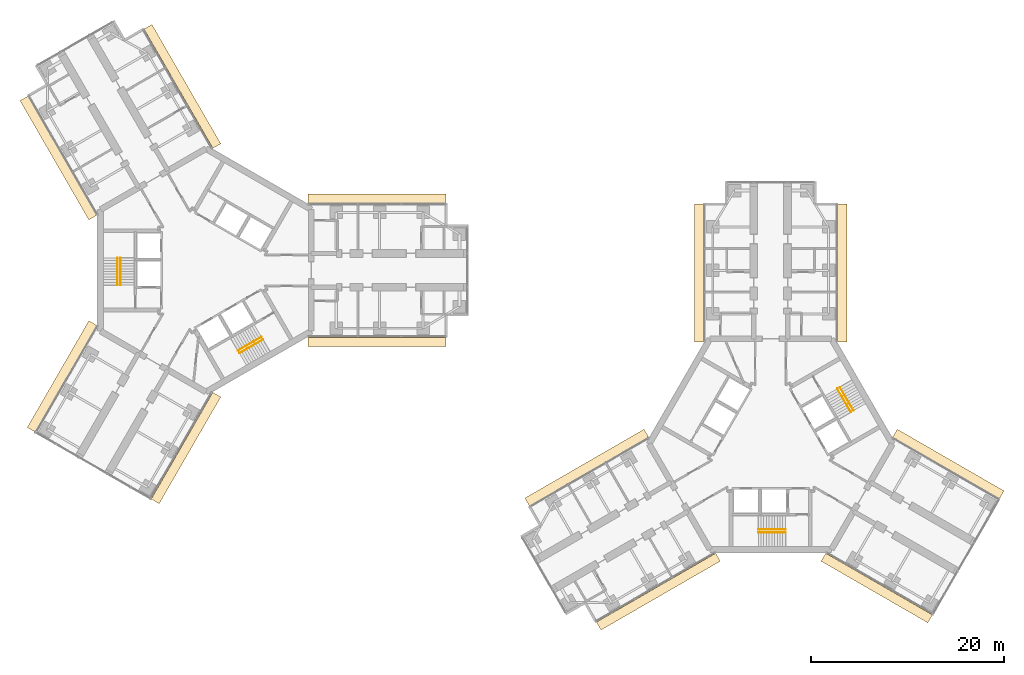
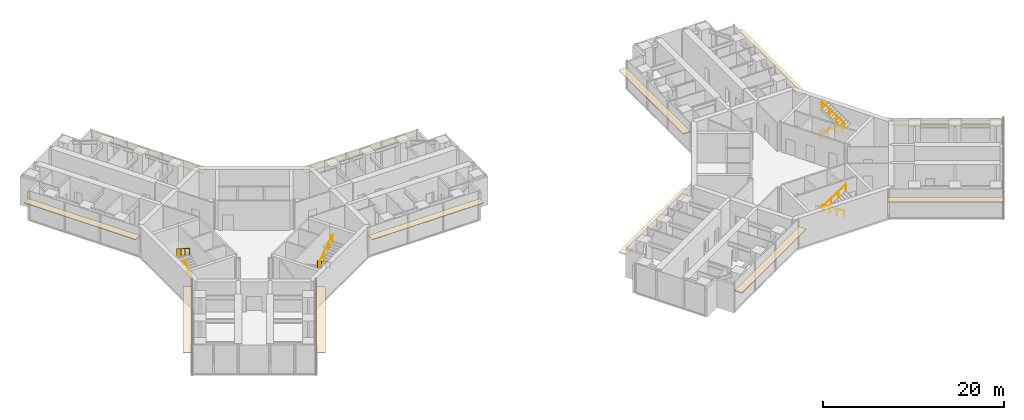
# One storey, part 22 of 22: 12 coverings, 8 railings.
"""IFC4 building model written with IfcOpenShell, lengths in metres."""

from ifc_helpers import new_model, si_unit, direction, frame, origin, origin_2d, place, context, subcontext, project, spatial, rectangle, circle, extrude, material, layer, layer_set, type_object, element, save


model = new_model("IFC4")

# Units and contexts
model_context = context("Model", 3, precision=1e-05, world=origin(), true_north=direction((0.0, 1.0)))
body_context = subcontext(model_context, "Body", "Model", "MODEL_VIEW")
ifc_project = project(units=[si_unit("LENGTHUNIT", "METRE"), si_unit("AREAUNIT", "SQUARE_METRE"), si_unit("VOLUMEUNIT", "CUBIC_METRE"), si_unit("PLANEANGLEUNIT", "RADIAN"), si_unit("MASSUNIT", "GRAM", prefix="KILO")], contexts=[model_context])

# Site, building, storey
site_placement = place(None, origin())
site = spatial("IfcSite", under=ifc_project, at=site_placement, CompositionType="ELEMENT")
building_placement = place(site_placement, origin())
building = spatial("IfcBuilding", under=site, at=building_placement, Name="Upepo Twin Towers", CompositionType="ELEMENT")
storey_placement = place(building_placement, frame((0.0, 0.0, 129.5)))
storey = spatial("IfcBuildingStorey", under=building, at=storey_placement, Name="L31", CompositionType="ELEMENT", Elevation=129.5)

# Coverings
ifc_material_1 = material(Name="Anodised aluminium, pale silver", Category="aluminium")
ifc_layer = layer(ifc_material_1, 0.080078125)
ifc_layer_set = layer_set([ifc_layer], Name="Brise-soleil blade 950 pale aluminium")
covering_type = type_object("IfcCoveringType", Name="Brise-soleil blade 950 pale aluminium", PredefinedType="USERDEFINED", material=ifc_layer_set)
for number, where, z_axis, x_axis, name in (
    (1, (17.718505859375, 7.4150390625, 2.909912109375), (0.0, 0.0, 1.0), (1.0, 0.0, 0.0), "T1 L31 wing A brise-soleil L"),
    (2, (17.718505859375, -7.4150390625, 2.909912109375), (0.0, 0.0, 1.0), (1.0, 0.0, 0.0), "T1 L31 wing A brise-soleil R"),
    (3, (-15.28076171875, 11.63720703125, 2.909912109375), (0.0, 0.0, 1.0), (-0.499999954655, 0.866025429964, 0.0), "T1 L31 wing B brise-soleil L"),
    (4, (-2.437744140625, 19.05224609375, 2.909912109375), (0.0, 0.0, 1.0), (-0.500000015115, 0.866025395058, 0.0), "T1 L31 wing B brise-soleil R"),
):
    element("IfcCovering", number, at=place(storey_placement, frame(where, z_axis=z_axis, x_axis=x_axis)), inside=storey, type_object=covering_type, Name=name, ObjectType="SUNSHADE", PredefinedType="USERDEFINED", context=body_context, shape_type="SweptSolid", body=[
        extrude(rectangle(XDim=14.262939453125, YDim=0.949951171875, at=origin_2d()), origin(), (0.0, 0.0, 1.0), 0.080078125),
    ])
for number, where, z_axis, x_axis, name in (
    (5, (-2.062744140625, -18.402587890625, 2.909912109375), (0.0, 0.0, 1.0), (-0.500000015115, -0.866025395058, 0.0), "T1 L31 wing C brise-soleil L"),
    (6, (-14.90576171875, -10.98779296875, 2.909912109375), (0.0, 0.0, 1.0), (-0.499999954655, -0.866025429964, 0.0), "T1 L31 wing C brise-soleil R"),
):
    element("IfcCovering", number, at=place(storey_placement, frame(where, z_axis=z_axis, x_axis=x_axis)), inside=storey, type_object=covering_type, Name=name, ObjectType="SUNSHADE", PredefinedType="USERDEFINED", context=body_context, shape_type="SweptSolid", body=[
        extrude(rectangle(XDim=12.762939453125, YDim=0.949951171875, at=origin_2d()), origin(), (0.0, 0.0, 1.0), 0.080078125),
    ])
for number, where, z_axis, x_axis, name in (
    (7, (51.0849609375, -0.281494140625, 2.909912109375), (0.0, 0.0, 1.0), (0.0, 1.0, 0.0), "T2 L31 wing A brise-soleil L"),
    (8, (65.9150390625, -0.281494140625, 2.909912109375), (0.0, 0.0, 1.0), (0.0, 1.0, 0.0), "T2 L31 wing A brise-soleil R"),
    (9, (46.86279296875, -33.28076171875, 2.909912109375), (0.0, 0.0, 1.0), (-0.866025429964, -0.499999954655, 0.0), "T2 L31 wing B brise-soleil L"),
    (10, (39.44775390625, -20.437744140625, 2.909912109375), (0.0, 0.0, 1.0), (-0.866025395058, -0.500000015115, 0.0), "T2 L31 wing B brise-soleil R"),
):
    element("IfcCovering", number, at=place(storey_placement, frame(where, z_axis=z_axis, x_axis=x_axis)), inside=storey, type_object=covering_type, Name=name, ObjectType="SUNSHADE", PredefinedType="USERDEFINED", context=body_context, shape_type="SweptSolid", body=[
        extrude(rectangle(XDim=14.262939453125, YDim=0.949951171875, at=origin_2d()), origin(), (0.0, 0.0, 1.0), 0.080078125),
    ])
for number, where, z_axis, x_axis, name in (
    (11, (76.902587890625, -20.062744140625, 2.909912109375), (0.0, 0.0, 1.0), (0.866025395058, -0.500000015115, 0.0), "T2 L31 wing C brise-soleil L"),
    (12, (69.48779296875, -32.90576171875, 2.909912109375), (0.0, 0.0, 1.0), (0.866025429964, -0.499999954655, 0.0), "T2 L31 wing C brise-soleil R"),
):
    element("IfcCovering", number, at=place(storey_placement, frame(where, z_axis=z_axis, x_axis=x_axis)), inside=storey, type_object=covering_type, Name=name, ObjectType="SUNSHADE", PredefinedType="USERDEFINED", context=body_context, shape_type="SweptSolid", body=[
        extrude(rectangle(XDim=12.762939453125, YDim=0.949951171875, at=origin_2d()), origin(), (0.0, 0.0, 1.0), 0.080078125),
    ])

# Railings
ifc_material_2 = material(Name="Stainless steel", Category="steel")
railing_type = type_object("IfcRailingType", Name="Stair handrail 900", PredefinedType="HANDRAIL", material=ifc_material_2)
railing_1_placement = place(storey_placement, frame((-8.85009765625, -1.52001953125, 0.181884765625)))
element("IfcRailing", 13, at=railing_1_placement, inside=storey, type_object=railing_type, Name="T1 stair S1 L31 handrail 1", PredefinedType="HANDRAIL", context=body_context, shape_type="SweptSolid", body=[
    extrude(circle(Radius=0.02392578125, at=origin_2d()), frame((0.0, 0.0, 0.8759765625), z_axis=(0.0, 0.838705829183, 0.544584733623), x_axis=(-1.0, 0.0, 0.0)), (0.0, 0.0, 1.0), 3.338623046875),
    extrude(circle(Radius=0.02099609375, at=origin_2d()), origin(), (0.0, 0.0, 1.0), 0.851806640625),
    extrude(circle(Radius=0.02099609375, at=origin_2d()), frame((0.0, 0.933349609375, 0.60595703125)), (0.0, 0.0, 1.0), 0.851806640625),
    extrude(circle(Radius=0.02099609375, at=origin_2d()), frame((0.0, 1.86669921875, 1.212158203125)), (0.0, 0.0, 1.0), 0.851806640625),
    extrude(circle(Radius=0.02099609375, at=origin_2d()), frame((0.0, 2.800048828125, 1.818115234375)), (0.0, 0.0, 1.0), 0.851806640625),
])
railing_2_placement = place(storey_placement, frame((-9.158447265625, 1.280029296875, 2.181884765625)))
element("IfcRailing", 14, at=railing_2_placement, inside=storey, type_object=railing_type, Name="T1 stair S1 L31 handrail 2", PredefinedType="HANDRAIL", context=body_context, shape_type="SweptSolid", body=[
    extrude(circle(Radius=0.02392578125, at=origin_2d()), frame((0.0, 0.0, 0.8759765625), z_axis=(0.0, -0.838705829183, 0.544584733623), x_axis=(1.0, 0.0, 0.0)), (0.0, 0.0, 1.0), 3.338623046875),
    extrude(circle(Radius=0.02099609375, at=origin_2d()), origin(), (0.0, 0.0, 1.0), 0.851806640625),
    extrude(circle(Radius=0.02099609375, at=origin_2d()), frame((0.0, -0.933349609375, 0.60595703125)), (0.0, 0.0, 1.0), 0.851806640625),
    extrude(circle(Radius=0.02099609375, at=origin_2d()), frame((0.0, -1.86669921875, 1.212158203125)), (0.0, 0.0, 1.0), 0.851806640625),
    extrude(circle(Radius=0.02099609375, at=origin_2d()), frame((0.0, -2.800048828125, 1.818115234375)), (0.0, 0.0, 1.0), 0.851806640625),
])
railing_3_placement = place(storey_placement, frame((5.741455078125, -6.904296875, 0.181884765625)))
element("IfcRailing", 15, at=railing_3_placement, inside=storey, type_object=railing_type, Name="T1 stair S2 L31 handrail 1", PredefinedType="HANDRAIL", context=body_context, shape_type="SweptSolid", body=[
    extrude(circle(Radius=0.02392578125, at=origin_2d()), frame((0.0, 0.0, 0.8759765625), z_axis=(-0.726348578268, -0.419370693282, 0.544560340518), x_axis=(0.500011755427, -0.866018616679, 0.0)), (0.0, 0.0, 1.0), 3.338623046875),
    extrude(circle(Radius=0.02099609375, at=origin_2d()), origin(), (0.0, 0.0, 1.0), 0.851806640625),
    extrude(circle(Radius=0.02099609375, at=origin_2d()), frame((-0.808349609375, -0.466796875, 0.60595703125)), (0.0, 0.0, 1.0), 0.851806640625),
    extrude(circle(Radius=0.02099609375, at=origin_2d()), frame((-1.61669921875, -0.933349609375, 1.212158203125)), (0.0, 0.0, 1.0), 0.851806640625),
    extrude(circle(Radius=0.02099609375, at=origin_2d()), frame((-2.425048828125, -1.400146484375, 1.818115234375)), (0.0, 0.0, 1.0), 0.851806640625),
])
railing_4_placement = place(storey_placement, frame((3.470703125, -8.5712890625, 2.181884765625)))
element("IfcRailing", 16, at=railing_4_placement, inside=storey, type_object=railing_type, Name="T1 stair S2 L31 handrail 2", PredefinedType="HANDRAIL", context=body_context, shape_type="SweptSolid", body=[
    extrude(circle(Radius=0.02392578125, at=origin_2d()), frame((0.0, 0.0, 0.8759765625), z_axis=(0.726336304947, 0.419332699614, 0.544605966869), x_axis=(-0.49998411664, 0.866034573852, 0.0)), (0.0, 0.0, 1.0), 3.33837890625),
    extrude(circle(Radius=0.02099609375, at=origin_2d()), origin(), (0.0, 0.0, 1.0), 0.851806640625),
    extrude(circle(Radius=0.02099609375, at=origin_2d()), frame((0.808349609375, 0.466552734375, 0.60595703125)), (0.0, 0.0, 1.0), 0.851806640625),
    extrude(circle(Radius=0.02099609375, at=origin_2d()), frame((1.616455078125, 0.933349609375, 1.212158203125)), (0.0, 0.0, 1.0), 0.851806640625),
    extrude(circle(Radius=0.02099609375, at=origin_2d()), frame((2.4248046875, 1.39990234375, 1.818115234375)), (0.0, 0.0, 1.0), 0.851806640625),
])
railing_5_placement = place(storey_placement, frame((60.02001953125, -26.85009765625, 0.181884765625)))
element("IfcRailing", 17, at=railing_5_placement, inside=storey, type_object=railing_type, Name="T2 stair S1 L31 handrail 1", PredefinedType="HANDRAIL", context=body_context, shape_type="SweptSolid", body=[
    extrude(circle(Radius=0.02392578125, at=origin_2d()), frame((0.0, 0.0, 0.8759765625), z_axis=(-0.838705829183, 0.0, 0.544584733623), x_axis=(0.0, -1.0, 0.0)), (0.0, 0.0, 1.0), 3.338623046875),
    extrude(circle(Radius=0.02099609375, at=origin_2d()), origin(), (0.0, 0.0, 1.0), 0.851806640625),
    extrude(circle(Radius=0.02099609375, at=origin_2d()), frame((-0.933349609375, 0.0, 0.60595703125)), (0.0, 0.0, 1.0), 0.851806640625),
    extrude(circle(Radius=0.02099609375, at=origin_2d()), frame((-1.86669921875, 0.0, 1.212158203125)), (0.0, 0.0, 1.0), 0.851806640625),
    extrude(circle(Radius=0.02099609375, at=origin_2d()), frame((-2.800048828125, 0.0, 1.818115234375)), (0.0, 0.0, 1.0), 0.851806640625),
])
railing_6_placement = place(storey_placement, frame((57.219970703125, -27.158447265625, 2.181884765625)))
element("IfcRailing", 18, at=railing_6_placement, inside=storey, type_object=railing_type, Name="T2 stair S1 L31 handrail 2", PredefinedType="HANDRAIL", context=body_context, shape_type="SweptSolid", body=[
    extrude(circle(Radius=0.02392578125, at=origin_2d()), frame((0.0, 0.0, 0.8759765625), z_axis=(0.838705829183, 0.0, 0.544584733623), x_axis=(0.0, 1.0, 0.0)), (0.0, 0.0, 1.0), 3.338623046875),
    extrude(circle(Radius=0.02099609375, at=origin_2d()), origin(), (0.0, 0.0, 1.0), 0.851806640625),
    extrude(circle(Radius=0.02099609375, at=origin_2d()), frame((0.933349609375, 0.0, 0.60595703125)), (0.0, 0.0, 1.0), 0.851806640625),
    extrude(circle(Radius=0.02099609375, at=origin_2d()), frame((1.86669921875, 0.0, 1.212158203125)), (0.0, 0.0, 1.0), 0.851806640625),
    extrude(circle(Radius=0.02099609375, at=origin_2d()), frame((2.800048828125, 0.0, 1.818115234375)), (0.0, 0.0, 1.0), 0.851806640625),
])
railing_7_placement = place(storey_placement, frame((65.404296875, -12.258544921875, 0.181884765625)))
element("IfcRailing", 19, at=railing_7_placement, inside=storey, type_object=railing_type, Name="T2 stair S2 L31 handrail 1", PredefinedType="HANDRAIL", context=body_context, shape_type="SweptSolid", body=[
    extrude(circle(Radius=0.02392578125, at=origin_2d()), frame((0.0, 0.0, 0.8759765625), z_axis=(0.419370693282, -0.726348578268, 0.544560340518), x_axis=(0.866018616679, 0.500011755427, 0.0)), (0.0, 0.0, 1.0), 3.338623046875),
    extrude(circle(Radius=0.02099609375, at=origin_2d()), origin(), (0.0, 0.0, 1.0), 0.851806640625),
    extrude(circle(Radius=0.02099609375, at=origin_2d()), frame((0.466796875, -0.808349609375, 0.60595703125)), (0.0, 0.0, 1.0), 0.851806640625),
    extrude(circle(Radius=0.02099609375, at=origin_2d()), frame((0.933349609375, -1.61669921875, 1.212158203125)), (0.0, 0.0, 1.0), 0.851806640625),
    extrude(circle(Radius=0.02099609375, at=origin_2d()), frame((1.400146484375, -2.425048828125, 1.818115234375)), (0.0, 0.0, 1.0), 0.851806640625),
])
railing_8_placement = place(storey_placement, frame((67.0712890625, -14.529296875, 2.181884765625)))
element("IfcRailing", 20, at=railing_8_placement, inside=storey, type_object=railing_type, Name="T2 stair S2 L31 handrail 2", PredefinedType="HANDRAIL", context=body_context, shape_type="SweptSolid", body=[
    extrude(circle(Radius=0.02392578125, at=origin_2d()), frame((0.0, 0.0, 0.8759765625), z_axis=(-0.419332699614, 0.726336304947, 0.544605966869), x_axis=(-0.866034573852, -0.49998411664, 0.0)), (0.0, 0.0, 1.0), 3.33837890625),
    extrude(circle(Radius=0.02099609375, at=origin_2d()), origin(), (0.0, 0.0, 1.0), 0.851806640625),
    extrude(circle(Radius=0.02099609375, at=origin_2d()), frame((-0.466552734375, 0.808349609375, 0.60595703125)), (0.0, 0.0, 1.0), 0.851806640625),
    extrude(circle(Radius=0.02099609375, at=origin_2d()), frame((-0.933349609375, 1.616455078125, 1.212158203125)), (0.0, 0.0, 1.0), 0.851806640625),
    extrude(circle(Radius=0.02099609375, at=origin_2d()), frame((-1.39990234375, 2.4248046875, 1.818115234375)), (0.0, 0.0, 1.0), 0.851806640625),
])

save(model, "model.ifc")
